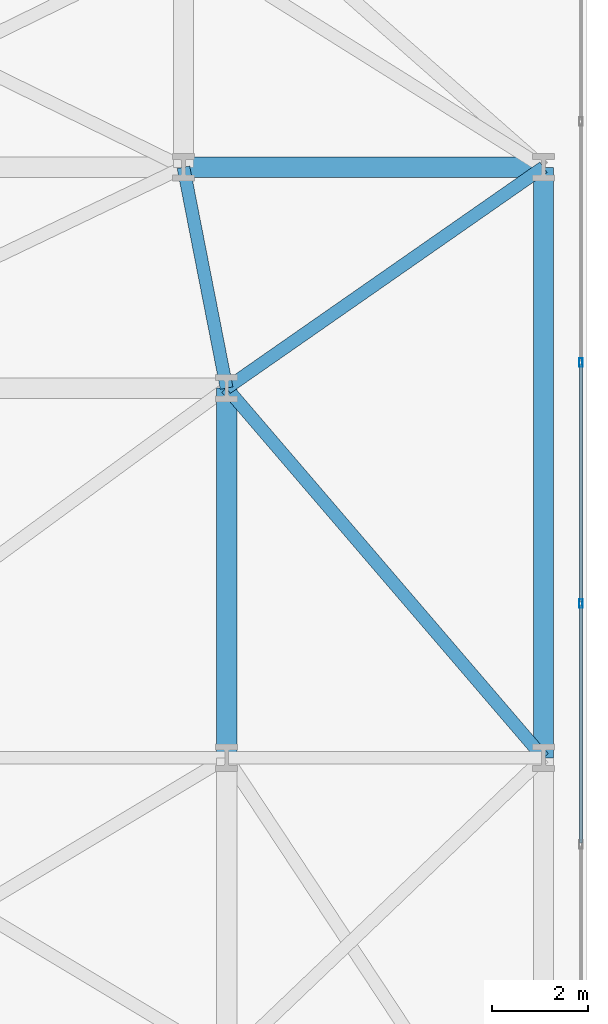
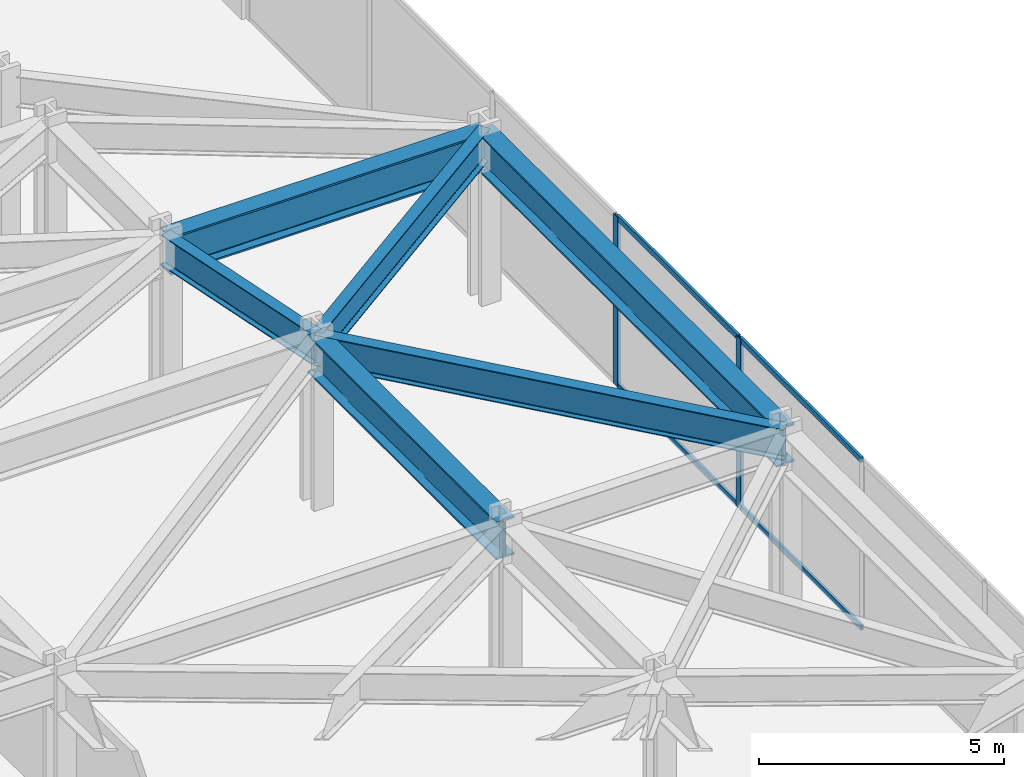
# One storey, part 22 of 28: 6 beams, 6 members, 1 element without a shape of its own.
"""IFC4 building model written with IfcOpenShell, lengths in metres."""

from ifc_helpers import new_model, si_unit, direction, frame, origin, origin_2d, place, context, subcontext, project, spatial, hollow_rectangle, i_section, extrude, material, layer, layer_set, material_profile, profile_set, type_object, element, aggregate, save


model = new_model("IFC4")

# Units and contexts
model_context = context("Model", 3, precision=1e-05, world=origin(), true_north=direction((0.0, 1.0)))
body_context = subcontext(model_context, "Body", "Model", "MODEL_VIEW")
ifc_project = project(units=[si_unit("LENGTHUNIT", "METRE"), si_unit("AREAUNIT", "SQUARE_METRE"), si_unit("VOLUMEUNIT", "CUBIC_METRE"), si_unit("PLANEANGLEUNIT", "RADIAN"), si_unit("MASSUNIT", "GRAM", prefix="KILO")], contexts=[model_context])

# Site, building, storey
site_placement = place(None, origin())
site = spatial("IfcSite", under=ifc_project, at=site_placement, CompositionType="ELEMENT")
building_placement = place(site_placement, origin())
building = spatial("IfcBuilding", under=site, at=building_placement, Name="Kravanh Interchange Tower", CompositionType="ELEMENT")
storey_placement = place(building_placement, frame((0.0, 0.0, 15.300048828125)))
storey = spatial("IfcBuildingStorey", under=building, at=storey_placement, Name="L03", CompositionType="ELEMENT", Elevation=15.300048828125)

# Curtain wall, members
ifc_material_1 = material(Name="Anodised Bronze Aluminium", Category="aluminium")
ifc_layer = layer(ifc_material_1, 0.179931640625)
ifc_layer_set = layer_set([ifc_layer], Name="Unitised Curtain Wall System CW-POD Podium Concourse")
curtain_wall_type = type_object("IfcCurtainWallType", Name="Unitised Curtain Wall System CW-POD Podium Concourse", PredefinedType="NOTDEFINED", material=ifc_layer_set)
curtain_wall_placement = place(storey_placement, origin())
curtain_wall = element("IfcCurtainWall", 1, at=curtain_wall_placement, inside=storey, type_object=curtain_wall_type, Name="L03 Unitised Curtain Wall CW-L03-02", PredefinedType="NOTDEFINED")
ifc_material_2 = material(Name="Anodised Bronze Aluminium", Category="aluminium")
ifc_material_profile_1 = material_profile(ifc_material_2, hollow_rectangle(XDim=0.070068359375, YDim=0.179931640625, WallThickness=0.00390625, at=origin_2d()), Name="ALU70X180X4")
ifc_profile_set_1 = profile_set([ifc_material_profile_1], Name="Anodised Bronze Aluminium")
member_type_1 = type_object("IfcMemberType", Name="Curtain Wall Mullion ALU70X180X4 Bronze", PredefinedType="MULLION", material=ifc_profile_set_1)
member_1_placement = place(storey_placement, frame((73.8798828125, 22.735595703125, 0.0), z_axis=(0.0, 0.0, 1.0), x_axis=(1.0, 0.0, 0.0)))
member_1 = element("IfcMember", 2, at=member_1_placement, type_object=member_type_1, Name="CW-POD mullion 4", PredefinedType="MULLION", context=body_context, shape_type="SweptSolid", body=[
    extrude(hollow_rectangle(XDim=0.070068359375, YDim=0.179931640625, WallThickness=0.00390625, at=origin_2d()), origin(), (0.0, 0.0, 1.0), 4.22998046875),
])
member_2_placement = place(storey_placement, frame((73.8798828125, 17.714111328125, 0.0), z_axis=(0.0, 0.0, 1.0), x_axis=(1.0, 0.0, 0.0)))
member_2 = element("IfcMember", 3, at=member_2_placement, type_object=member_type_1, Name="CW-POD mullion 5", PredefinedType="MULLION", context=body_context, shape_type="SweptSolid", body=[
    extrude(hollow_rectangle(XDim=0.070068359375, YDim=0.179931640625, WallThickness=0.00390625, at=origin_2d()), origin(), (0.0, 0.0, 1.0), 4.22998046875),
])
ifc_material_3 = material(Name="Anodised Bronze Aluminium", Category="aluminium")
ifc_material_profile_2 = material_profile(ifc_material_3, hollow_rectangle(XDim=0.06005859375, YDim=0.139892578125, WallThickness=0.00390625, at=origin_2d()), Name="ALU60X140X4")
ifc_profile_set_2 = profile_set([ifc_material_profile_2], Name="Anodised Bronze Aluminium")
member_type_2 = type_object("IfcMemberType", Name="Curtain Wall Transom ALU60X140X4 Bronze", PredefinedType="USERDEFINED", material=ifc_profile_set_2)
member_3_placement = place(storey_placement, frame((73.8798828125, 22.70068359375, 0.030029296875), z_axis=(0.0, -1.0, 0.0), x_axis=(1.0, 0.0, 0.0)))
member_3 = element("IfcMember", 4, at=member_3_placement, type_object=member_type_2, Name="CW-POD transom 4.1", ObjectType="TRANSOM", PredefinedType="USERDEFINED", context=body_context, shape_type="SweptSolid", body=[
    extrude(hollow_rectangle(XDim=0.06005859375, YDim=0.139892578125, WallThickness=0.00390625, at=origin_2d()), origin(), (0.0, 0.0, 1.0), 4.95166015625),
])
member_4_placement = place(storey_placement, frame((73.8798828125, 22.70068359375, 4.199951171875), z_axis=(0.0, -1.0, 0.0), x_axis=(1.0, 0.0, 0.0)))
member_4 = element("IfcMember", 5, at=member_4_placement, type_object=member_type_2, Name="CW-POD transom 4.2", ObjectType="TRANSOM", PredefinedType="USERDEFINED", context=body_context, shape_type="SweptSolid", body=[
    extrude(hollow_rectangle(XDim=0.06005859375, YDim=0.139892578125, WallThickness=0.00390625, at=origin_2d()), origin(), (0.0, 0.0, 1.0), 4.95166015625),
])
member_5_placement = place(storey_placement, frame((73.8798828125, 17.67919921875, 0.030029296875), z_axis=(0.0, -1.0, 0.0), x_axis=(1.0, 0.0, 0.0)))
member_5 = element("IfcMember", 6, at=member_5_placement, type_object=member_type_2, Name="CW-POD transom 5.1", ObjectType="TRANSOM", PredefinedType="USERDEFINED", context=body_context, shape_type="SweptSolid", body=[
    extrude(hollow_rectangle(XDim=0.06005859375, YDim=0.139892578125, WallThickness=0.00390625, at=origin_2d()), origin(), (0.0, 0.0, 1.0), 4.95166015625),
])
member_6_placement = place(storey_placement, frame((73.8798828125, 17.67919921875, 4.199951171875), z_axis=(0.0, -1.0, 0.0), x_axis=(1.0, 0.0, 0.0)))
member_6 = element("IfcMember", 7, at=member_6_placement, type_object=member_type_2, Name="CW-POD transom 5.2", ObjectType="TRANSOM", PredefinedType="USERDEFINED", context=body_context, shape_type="SweptSolid", body=[
    extrude(hollow_rectangle(XDim=0.06005859375, YDim=0.139892578125, WallThickness=0.00390625, at=origin_2d()), origin(), (0.0, 0.0, 1.0), 4.95166015625),
])
aggregate(curtain_wall, [member_1, member_2, member_3, member_4, member_5, member_6])

# Beams
ifc_material_4 = material(Name="Structural Steel S450", Category="steel")
ifc_material_profile_3 = material_profile(ifc_material_4, i_section(OverallWidth=0.423095703125, OverallDepth=0.947998046875, WebThickness=0.02392578125, FlangeThickness=0.042724609375, FilletRadius=0.028076171875, at=origin_2d()), Name="W36X302")
ifc_profile_set_3 = profile_set([ifc_material_profile_3], Name="Structural Steel S450")
beam_type_1 = type_object("IfcBeamType", Name="Floor Beam W36X302 Structural Steel S450", PredefinedType="BEAM", material=ifc_profile_set_3)
beam_1_placement = place(storey_placement, frame((66.5, 14.5, 3.755859375), z_axis=(0.0, 1.0, 0.0), x_axis=(-1.0, 0.0, 0.0)))
element("IfcBeam", 8, at=beam_1_placement, inside=storey, type_object=beam_type_1, Name="L03 Primary Floor Girder 54", PredefinedType="BEAM", context=body_context, shape_type="SweptSolid", body=[
    extrude(i_section(OverallWidth=0.423095703125, OverallDepth=0.947998046875, WebThickness=0.02392578125, FlangeThickness=0.042724609375, FilletRadius=0.028076171875, at=origin_2d()), origin(), (0.0, 0.0, 1.0), 7.699951171875),
])
beam_2_placement = place(storey_placement, frame((65.60009765625, 26.800048828125, 3.755859375), z_axis=(1.0, 0.0, 0.0), x_axis=(0.0, 1.0, 0.0)))
element("IfcBeam", 9, at=beam_2_placement, inside=storey, type_object=beam_type_1, Name="L03 Primary Floor Girder 102", PredefinedType="BEAM", context=body_context, shape_type="SweptSolid", body=[
    extrude(i_section(OverallWidth=0.423095703125, OverallDepth=0.947998046875, WebThickness=0.02392578125, FlangeThickness=0.042724609375, FilletRadius=0.028076171875, at=origin_2d()), origin(), (0.0, 0.0, 1.0), 7.5),
])
beam_3_placement = place(storey_placement, frame((73.10009765625, 14.5, 3.755859375), z_axis=(0.0, 1.0, 0.0), x_axis=(-1.0, 0.0, 0.0)))
element("IfcBeam", 10, at=beam_3_placement, inside=storey, type_object=beam_type_1, Name="L03 Primary Floor Girder 128", PredefinedType="BEAM", context=body_context, shape_type="SweptSolid", body=[
    extrude(i_section(OverallWidth=0.423095703125, OverallDepth=0.947998046875, WebThickness=0.02392578125, FlangeThickness=0.042724609375, FilletRadius=0.028076171875, at=origin_2d()), origin(), (0.0, 0.0, 1.0), 12.300048828125),
])
ifc_material_5 = material(Name="Structural Steel S355", Category="steel")
ifc_material_profile_4 = material_profile(ifc_material_5, i_section(OverallWidth=0.26708984375, OverallDepth=0.761962890625, WebThickness=0.014404296875, FlangeThickness=0.021484375, FilletRadius=0.02490234375, at=origin_2d()), Name="W30X116")
ifc_profile_set_4 = profile_set([ifc_material_profile_4], Name="Structural Steel S355")
beam_type_2 = type_object("IfcBeamType", Name="Floor Spandrel W30X116 Structural Steel S355", PredefinedType="SPANDREL", material=ifc_profile_set_4)
beam_4_placement = place(storey_placement, frame((66.5, 22.199951171875, 3.848876953125), z_axis=(-0.191987614224, 0.981397348674, 0.0), x_axis=(-0.981397348674, -0.191987614224, 0.0)))
element("IfcBeam", 11, at=beam_4_placement, inside=storey, type_object=beam_type_2, Name="L03 Perimeter Spandrel 69", PredefinedType="SPANDREL", context=body_context, shape_type="SweptSolid", body=[
    extrude(i_section(OverallWidth=0.26708984375, OverallDepth=0.761962890625, WebThickness=0.014404296875, FlangeThickness=0.021484375, FilletRadius=0.02490234375, at=origin_2d()), origin(), (0.0, 0.0, 1.0), 4.687255859375),
])
beam_5_placement = place(storey_placement, frame((66.5, 22.199951171875, 3.848876953125), z_axis=(0.820396441235, 0.571795137447, 0.0), x_axis=(-0.571795137447, 0.820396441235, 0.0)))
element("IfcBeam", 12, at=beam_5_placement, inside=storey, type_object=beam_type_2, Name="L03 Perimeter Spandrel 70", PredefinedType="SPANDREL", context=body_context, shape_type="SweptSolid", body=[
    extrude(i_section(OverallWidth=0.26708984375, OverallDepth=0.761962890625, WebThickness=0.014404296875, FlangeThickness=0.021484375, FilletRadius=0.02490234375, at=origin_2d()), origin(), (0.0, 0.0, 1.0), 8.044921875),
])
beam_6_placement = place(storey_placement, frame((66.5, 22.199951171875, 3.848876953125), z_axis=(0.65079930347, -0.759249805139, 0.0), x_axis=(0.759249805139, 0.65079930347, 0.0)))
element("IfcBeam", 13, at=beam_6_placement, inside=storey, type_object=beam_type_2, Name="L03 Perimeter Spandrel 72", PredefinedType="SPANDREL", context=body_context, shape_type="SweptSolid", body=[
    extrude(i_section(OverallWidth=0.26708984375, OverallDepth=0.761962890625, WebThickness=0.014404296875, FlangeThickness=0.021484375, FilletRadius=0.02490234375, at=origin_2d()), origin(), (0.0, 0.0, 1.0), 10.1416015625),
])

save(model, "model.ifc")
